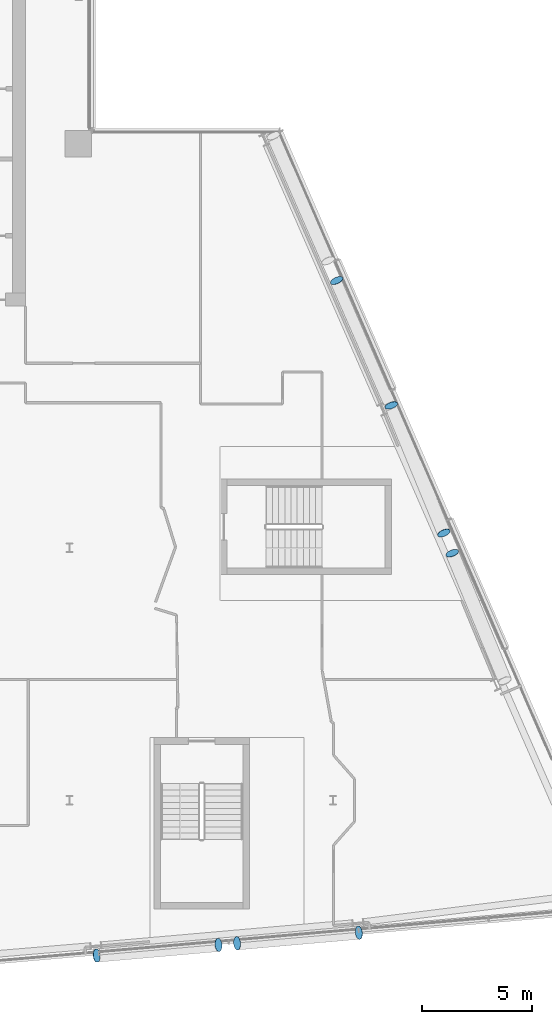
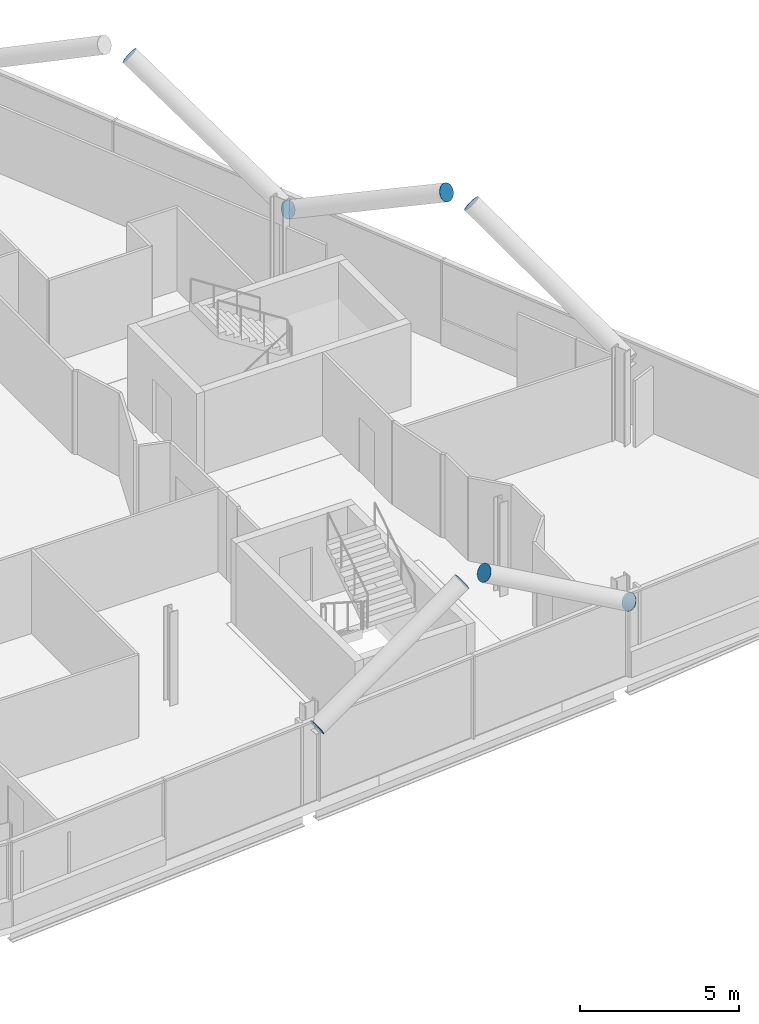
# One storey, part 23 of 28: 8 discrete accessories.
"""IFC4 building model written with IfcOpenShell, lengths in metres."""

from ifc_helpers import new_model, si_unit, direction, frame, origin, origin_2d, place, context, subcontext, project, spatial, circle, extrude, material, material_profile, profile_set, type_object, element, save


model = new_model("IFC4")

# Units and contexts
model_context = context("Model", 3, precision=1e-05, world=origin(), true_north=direction((0.0, 1.0)))
body_context = subcontext(model_context, "Body", "Model", "MODEL_VIEW")
ifc_project = project(units=[si_unit("LENGTHUNIT", "METRE"), si_unit("AREAUNIT", "SQUARE_METRE"), si_unit("VOLUMEUNIT", "CUBIC_METRE"), si_unit("PLANEANGLEUNIT", "RADIAN"), si_unit("MASSUNIT", "GRAM", prefix="KILO")], contexts=[model_context])

# Site, building, storey
site_placement = place(None, origin())
site = spatial("IfcSite", under=ifc_project, at=site_placement, CompositionType="ELEMENT")
building_placement = place(site_placement, origin())
building = spatial("IfcBuilding", under=site, at=building_placement, Name="Wharfspan Tower", CompositionType="ELEMENT")
storey_placement = place(building_placement, frame((0.0, 0.0, 250.300049)))
storey = spatial("IfcBuildingStorey", under=building, at=storey_placement, Name="L63", CompositionType="ELEMENT", Elevation=250.300049)

# Discrete accessories
ifc_material = material(Name="Steel S460NH", Category="steel")
ifc_material_profile = material_profile(ifc_material, circle(Radius=0.304932, at=origin_2d()))
ifc_profile_set = profile_set([ifc_material_profile], Name="Steel S460NH")
discrete_accessory_type = type_object("IfcDiscreteAccessoryType", Name="End plate CHS 610x25", PredefinedType="BRACKET", material=ifc_profile_set)
for number, where, z_axis, x_axis, name in (
    (1, (61.233398, 4.425293, 2.894775), (0.855186, 0.073302, 0.513112), (-0.085402, 0.996345, 1e-06), "End plate CHS 610x25"),
    (2, (66.778564, 4.9104, 6.240479), (0.855186, 0.073302, 0.513112), (-0.085402, 0.996345, 1e-06), "End plate CHS 610x25"),
    (3, (73.183594, 5.470947, 2.894775), (-0.853405, -0.097532, 0.512043), (0.113547, -0.993531, 1e-06), "End plate CHS 610x25"),
    (4, (67.638428, 4.985596, 6.240479), (-0.855186, -0.073302, 0.513112), (0.085402, -0.996345, 1e-06), "End plate CHS 610x25"),
    (5, (77.431885, 22.744141, 6.232666), (-0.316603, 0.828038, 0.462727), (-0.934054, -0.357138, -1e-06), "End plate CHS 610x25"),
    (6, (74.649414, 29.484619, 2.895264), (0.316603, -0.828038, 0.462727), (0.934054, 0.357138, -1e-06), "End plate CHS 610x25"),
    (7, (77.047607, 23.675049, 6.232666), (0.345075, -0.81339, 0.468316), (0.920586, 0.390551, -2e-06), "End plate CHS 610x25"),
    (8, (72.16748, 35.160156, 6.233398), (-0.366508, 0.806318, 0.464244), (-0.910368, -0.413804, 1e-06), "End plate CHS 610x25"),
):
    element("IfcDiscreteAccessory", number, at=place(storey_placement, frame(where, z_axis=z_axis, x_axis=x_axis)), inside=storey, type_object=discrete_accessory_type, Name=name, PredefinedType="BRACKET", context=body_context, shape_type="SweptSolid", body=[
        extrude(circle(Radius=0.304932, at=origin_2d()), origin(), (0.0, 0.0, 1.0), 0.01001),
    ])

save(model, "model.ifc")
